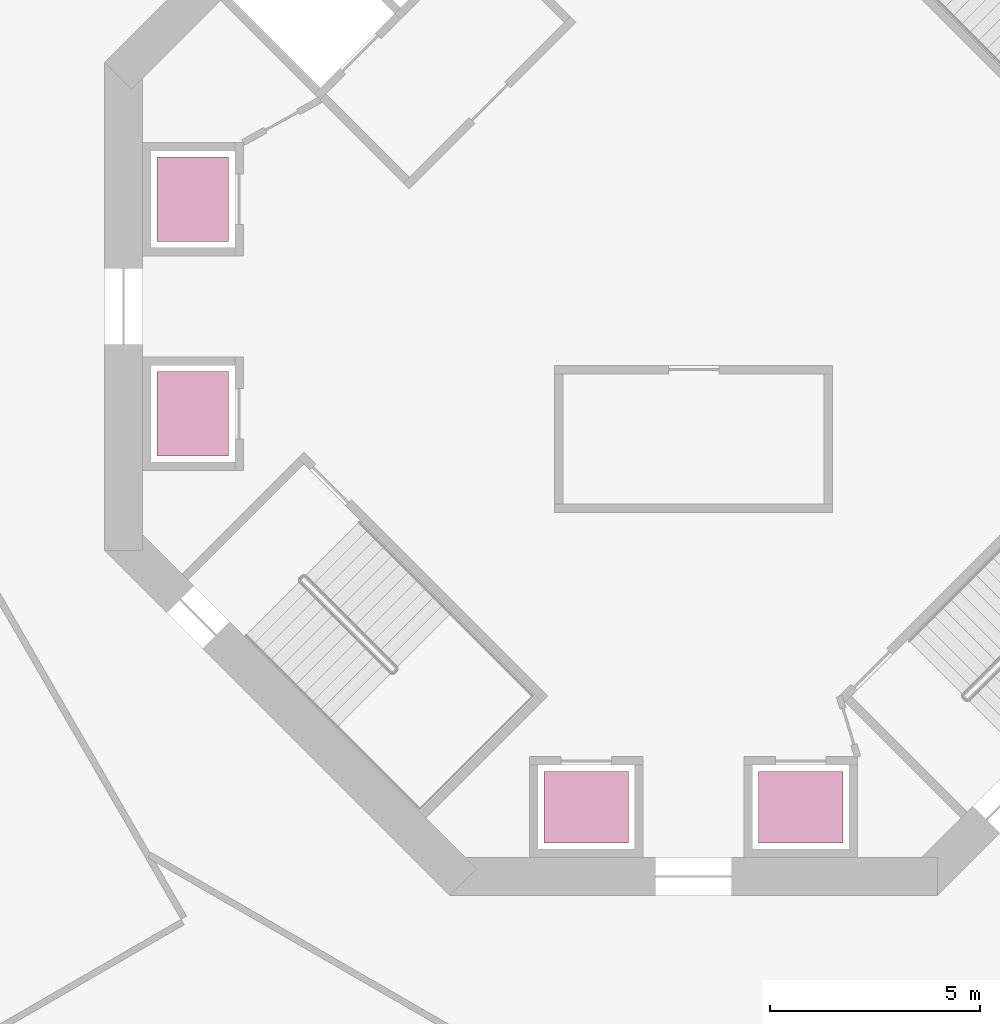
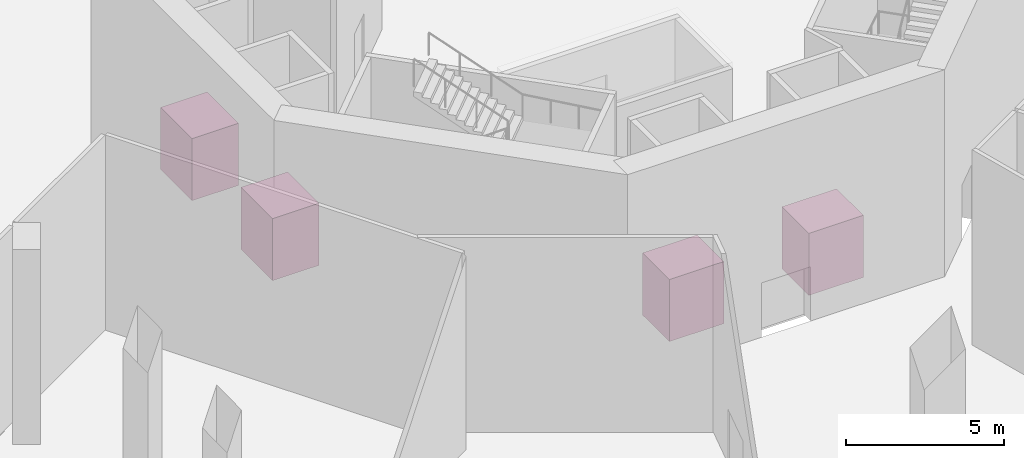
# One storey, part 30 of 30: 4 transport elements.
"""IFC4 building model written with IfcOpenShell, lengths in metres."""

import ifcopenshell
import ifcopenshell.guid

model = None  # the IFC model being written
_history = None  # IfcOwnerHistory: only IFC2X3 demands one
_inside = {}  # id of a spatial element -> (the spatial element, [elements in it])
_under = {}  # id of a project, library or spatial element -> (it, [spatial elements below it])
_declared = {}  # id of a project -> (the project, [libraries it declares])
_typed = {}  # id of a type object -> (the type object, [elements of that type])
_made_of = {}  # id of a material, layer set ... -> (it, [elements and type objects made of it])


def new_model(schema):
    """Start an empty IFC model of exactly this schema.

    Asked for "IFC4X3", IfcOpenShell would pick the latest addendum, in which some entities
    have other attributes; the version numbers below select the first issue.
    IFC2X3 requires an IfcOwnerHistory on every rooted entity: one is made here for all.
    """
    global model, _history
    if schema == "IFC4X3":
        model = ifcopenshell.file(schema_version=(4, 3, 0, 0))
    else:
        model = ifcopenshell.file(schema=schema)
    _inside.clear()
    _under.clear()
    _declared.clear()
    _typed.clear()
    _made_of.clear()
    _history = None
    if model.schema == "IFC2X3":
        org = make("IfcOrganization", Name="unknown")
        user = make(
            "IfcPersonAndOrganization",
            ThePerson=make("IfcPerson", FamilyName="unknown"),
            TheOrganization=org,
        )
        app = make(
            "IfcApplication",
            ApplicationDeveloper=org,
            Version="unknown",
            ApplicationFullName="unknown",
            ApplicationIdentifier="unknown",
        )
        _history = make(
            "IfcOwnerHistory",
            OwningUser=user,
            OwningApplication=app,
            ChangeAction="ADDED",
            CreationDate=0,
        )
    return model


def make(cls, **values):
    """One entity of the class cls with the attributes given. An attribute that is None is left unset."""
    return model.create_entity(
        cls, **{name: value for name, value in values.items() if value is not None}
    )


def rooted(cls, **values):
    """An entity with a GlobalId (a new one), such as an element, a storey or a relation."""
    return make(cls, GlobalId=ifcopenshell.guid.new(), OwnerHistory=_history, **values)


def si_unit(unit_type, name, prefix=None):
    """IfcSIUnit, for example si_unit("LENGTHUNIT", "METRE", prefix="MILLI")."""
    return make("IfcSIUnit", UnitType=unit_type, Prefix=prefix, Name=name)


def assignment(units):
    """IfcUnitAssignment: the units of a project."""
    return None if units is None else make("IfcUnitAssignment", Units=units)


def point(xyz):
    """IfcCartesianPoint."""
    return None if xyz is None else make("IfcCartesianPoint", Coordinates=xyz)


def direction(xyz):
    """IfcDirection."""
    return None if xyz is None else make("IfcDirection", DirectionRatios=xyz)


def frame(location, z_axis=None, x_axis=None):
    """IfcAxis2Placement3D, a coordinate frame: its origin and axes. An axis left out is left unset."""
    return make(
        "IfcAxis2Placement3D",
        Location=point(location),
        Axis=direction(z_axis),
        RefDirection=direction(x_axis),
    )


def frame_2d(location, x_axis=None):
    """IfcAxis2Placement2D, a coordinate frame in the plane: its origin and x axis."""
    return make(
        "IfcAxis2Placement2D", Location=point(location), RefDirection=direction(x_axis)
    )


def origin():
    """The frame at (0, 0, 0) with its axes left unset."""
    return frame((0.0, 0.0, 0.0))


def origin_2d():
    """The frame at (0, 0) in the plane with its x axis left unset."""
    return frame_2d((0.0, 0.0))


def place(relative_to, where):
    """IfcLocalPlacement: puts the frame where relative to a parent placement (None: the world)."""
    return make(
        "IfcLocalPlacement", PlacementRelTo=relative_to, RelativePlacement=where
    )


def context(
    kind, dimensions, precision=None, world=None, true_north=None, identifier=None
):
    """IfcGeometricRepresentationContext, for example the 3D "Model" context."""
    return make(
        "IfcGeometricRepresentationContext",
        ContextIdentifier=identifier,
        ContextType=kind,
        CoordinateSpaceDimension=dimensions,
        Precision=precision,
        WorldCoordinateSystem=world,
        TrueNorth=true_north,
    )


def subcontext(parent, identifier, kind, view, scale=None):
    """IfcGeometricRepresentationSubContext, for example "Body" below "Model"."""
    return make(
        "IfcGeometricRepresentationSubContext",
        ContextIdentifier=identifier,
        ContextType=kind,
        ParentContext=parent,
        TargetScale=scale,
        TargetView=view,
    )


def project(units=None, contexts=None):
    """IfcProject with its units and contexts."""
    return rooted(
        "IfcProject",
        Name="project",
        RepresentationContexts=contexts,
        UnitsInContext=assignment(units),
    )


def spatial(cls, under=None, at=None, **own):
    """A site, building, storey or space (cls), placed at a placement, below another one or the project."""
    s = rooted(cls, ObjectPlacement=at, **own)
    if under is not None:
        _under.setdefault(under.id(), (under, []))[1].append(s)
    return s


def profile(cls, at=None, kind="AREA", **sizes):
    """A parametric profile (cls). Its sizes go by their IFC names, for example OverallWidth=200.0."""
    return make(cls, ProfileType=kind, Position=at, **sizes)


def rectangle(**sizes):
    """IfcRectangleProfileDef."""
    return profile("IfcRectangleProfileDef", **sizes)


def extrude(swept, where, along, depth):
    """IfcExtrudedAreaSolid: the profile swept, set in the frame where, extruded along a direction by depth."""
    return make(
        "IfcExtrudedAreaSolid",
        SweptArea=swept,
        Position=where,
        ExtrudedDirection=direction(along),
        Depth=depth,
    )


def shape(context_of_items, identifier, shape_type, items):
    """IfcShapeRepresentation: the items that make up one representation, for example the "Body"."""
    return make(
        "IfcShapeRepresentation",
        ContextOfItems=context_of_items,
        RepresentationIdentifier=identifier,
        RepresentationType=shape_type,
        Items=items,
    )


def material(Name=None, Category=None):
    """IfcMaterial."""
    return make("IfcMaterial", Name=Name, Category=Category)


def made_of(thing, what):
    """Note that an element or type object is made of a material, layer set ...; save() writes the relation."""
    if what is not None:
        _made_of.setdefault(what.id(), (what, []))[1].append(thing)
    return thing


def type_object(cls, material=None, **own):
    """A type object (cls), such as IfcWallType, which elements share."""
    return made_of(rooted(cls, **own), material)


def element(
    cls,
    number,
    at=None,
    inside=None,
    cuts=None,
    type_object=None,
    material=None,
    context=None,
    identifier="Body",
    shape_type=None,
    held_by="IfcProductDefinitionShape",
    body=None,
    shapes=None,
    **own,
):
    """One element of the class cls, such as IfcWall. Its Tag is "e" and its number.

    at: its placement. inside: the storey or other place that contains it. cuts: it is an
    opening in that element (IfcRelVoidsElement). A single representation is given by context,
    identifier, shape_type and body (its items); several are given by shapes. held_by: the class
    of the entity that holds the representations. save() writes the other relations.
    """
    e = rooted(cls, Tag="e%d" % number, ObjectPlacement=at, **own)
    if body is not None:
        shapes = [shape(context, identifier, shape_type, body)]
    if shapes is not None:
        e.Representation = make(held_by, Representations=shapes)
    if inside is not None:
        _inside.setdefault(inside.id(), (inside, []))[1].append(e)
    if cuts is not None:
        rooted(
            "IfcRelVoidsElement", RelatingBuildingElement=cuts, RelatedOpeningElement=e
        )
    if type_object is not None:
        _typed.setdefault(type_object.id(), (type_object, []))[1].append(e)
    return made_of(e, material)


def aggregate(whole, parts):
    """IfcRelAggregates: a whole, such as a stair, and the parts it consists of."""
    return rooted("IfcRelAggregates", RelatingObject=whole, RelatedObjects=parts)


def save(model, path):
    """Write the relations noted so far, then the file.

    IfcRelAggregates (storeys below a building ...), IfcRelContainedInSpatialStructure (elements
    in a storey), IfcRelDefinesByType, IfcRelAssociatesMaterial and IfcRelDeclares: one each for
    every whole, place, type object, material and project.
    """
    for whole, parts in _under.values():
        aggregate(whole, parts)
    for where, things in _inside.values():
        rooted(
            "IfcRelContainedInSpatialStructure",
            RelatedElements=things,
            RelatingStructure=where,
        )
    for kind, things in _typed.values():
        rooted("IfcRelDefinesByType", RelatedObjects=things, RelatingType=kind)
    for what, things in _made_of.values():
        rooted("IfcRelAssociatesMaterial", RelatedObjects=things, RelatingMaterial=what)
    for by, libraries in _declared.values():
        rooted("IfcRelDeclares", RelatingContext=by, RelatedDefinitions=libraries)
    model.write(path)


model = new_model("IFC4")

# Units and contexts
model_context = context("Model", 3, precision=1e-05, world=origin(), true_north=direction((0.0, 1.0)))
body_context = subcontext(model_context, "Body", "Model", "MODEL_VIEW")
ifc_project = project(units=[si_unit("LENGTHUNIT", "METRE"), si_unit("AREAUNIT", "SQUARE_METRE"), si_unit("VOLUMEUNIT", "CUBIC_METRE"), si_unit("PLANEANGLEUNIT", "RADIAN"), si_unit("MASSUNIT", "GRAM", prefix="KILO")], contexts=[model_context])

# Site, building, storey
site_placement = place(None, origin())
site = spatial("IfcSite", under=ifc_project, at=site_placement, CompositionType="ELEMENT")
building_placement = place(site_placement, origin())
building = spatial("IfcBuilding", under=site, at=building_placement, Name="Verdalira Terraces Hotel", CompositionType="ELEMENT")
storey_placement = place(building_placement, origin())
storey = spatial("IfcBuildingStorey", under=building, at=storey_placement, Name="L00", CompositionType="ELEMENT", Elevation=0.0)

# Transport elements
ifc_material_1 = material(Name="Stainless steel", Category="steel")
transport_element_type_1 = type_object("IfcTransportElementType", Name="Passenger lift car 2000 x 1700", PredefinedType="ELEVATOR", material=ifc_material_1)
for number, where, z_axis, x_axis, name in (
    (1, (-11.899902, 2.550049, 0.0), (0.0, 0.0, 1.0), (0.0, -1.0, 0.0), "Lift LR5"),
    (2, (-11.899902, -2.550049, 0.0), (0.0, 0.0, 1.0), (0.0, -1.0, 0.0), "Lift LR6"),
):
    element("IfcTransportElement", number, at=place(storey_placement, frame(where, z_axis=z_axis, x_axis=x_axis)), inside=storey, type_object=transport_element_type_1, Name=name, PredefinedType="ELEVATOR", context=body_context, shape_type="SweptSolid", body=[
        extrude(rectangle(XDim=2.0, YDim=1.699951, at=origin_2d()), origin(), (0.0, 0.0, 1.0), 2.399902),
    ])
ifc_material_2 = material(Name="Stainless steel", Category="steel")
transport_element_type_2 = type_object("IfcTransportElementType", Name="Shuttle lift car 2000 x 1700", PredefinedType="ELEVATOR", material=ifc_material_2)
for number, where, z_axis, x_axis, name in (
    (3, (-2.550049, -11.899902, 0.0), (0.0, 0.0, 1.0), (1.0, 0.0, 0.0), "Lift SH1"),
    (4, (2.550049, -11.899902, 0.0), (0.0, 0.0, 1.0), (1.0, 0.0, 0.0), "Lift SH2"),
):
    element("IfcTransportElement", number, at=place(storey_placement, frame(where, z_axis=z_axis, x_axis=x_axis)), inside=storey, type_object=transport_element_type_2, Name=name, PredefinedType="ELEVATOR", context=body_context, shape_type="SweptSolid", body=[
        extrude(rectangle(XDim=2.0, YDim=1.699951, at=origin_2d()), origin(), (0.0, 0.0, 1.0), 2.399902),
    ])

save(model, "model.ifc")
